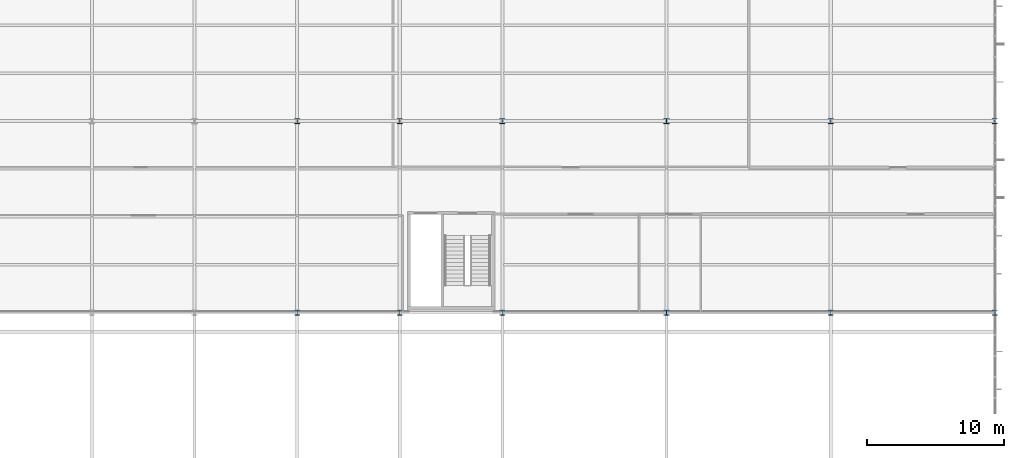
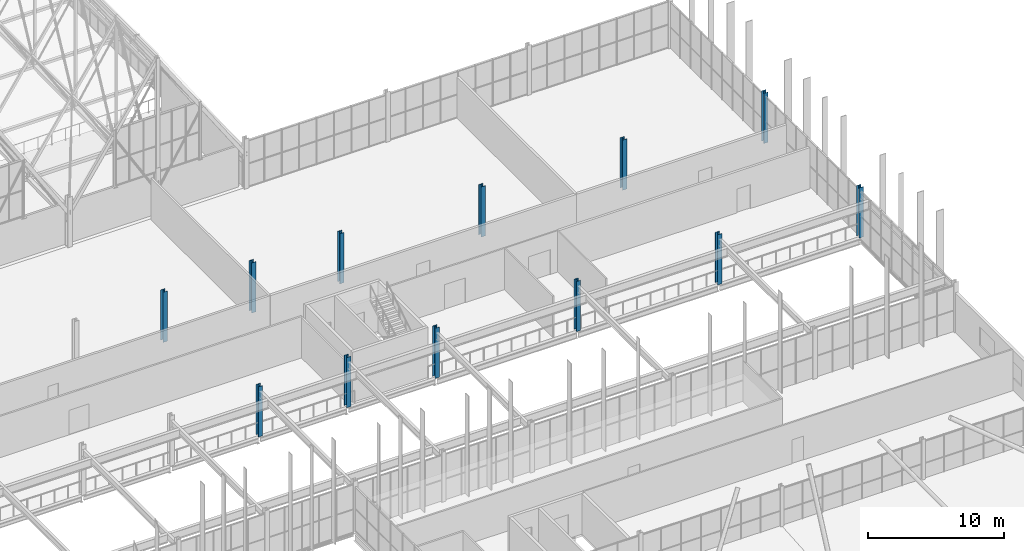
# One storey, part 13 of 324: 12 columns.
"""IFC4 building model written with IfcOpenShell, lengths in metres."""

from ifc_helpers import new_model, si_unit, direction, frame, origin, origin_2d, place, context, subcontext, project, spatial, i_section, extrude, material, material_profile, profile_set, type_object, element, save


model = new_model("IFC4")

# Units and contexts
model_context = context("Model", 3, precision=1e-05, world=origin(), true_north=direction((0.0, 1.0)))
body_context = subcontext(model_context, "Body", "Model", "MODEL_VIEW")
ifc_project = project(units=[si_unit("LENGTHUNIT", "METRE"), si_unit("AREAUNIT", "SQUARE_METRE"), si_unit("VOLUMEUNIT", "CUBIC_METRE"), si_unit("PLANEANGLEUNIT", "RADIAN"), si_unit("MASSUNIT", "GRAM", prefix="KILO")], contexts=[model_context])

# Site, building, storey
site_placement = place(None, origin())
site = spatial("IfcSite", under=ifc_project, at=site_placement, CompositionType="ELEMENT")
building_placement = place(site_placement, origin())
building = spatial("IfcBuilding", under=site, at=building_placement, Name="Solvenia Promenade Tram Depot", CompositionType="ELEMENT")
storey_placement = place(building_placement, frame((0.0, 0.0, 4.5)))
storey = spatial("IfcBuildingStorey", under=building, at=storey_placement, Name="L01", CompositionType="ELEMENT", Elevation=4.5)

# Columns
ifc_material = material(Name="Structural steel ASTM A992 Gr. 50", Category="steel")
ifc_material_profile = material_profile(ifc_material, i_section(OverallWidth=0.373046875, OverallDepth=0.367919921875, WebThickness=0.014892578125, FlangeThickness=0.02392578125, FilletRadius=0.014892578125, at=origin_2d()), Name="W360x179", Category="steel")
ifc_profile_set = profile_set([ifc_material_profile], Name="Structural steel ASTM A992 Gr. 50")
column_type = type_object("IfcColumnType", Name="Col-W360x179", PredefinedType="COLUMN", material=ifc_profile_set)
for number, where, z_axis, x_axis, name in (
    (1, (135.0, 38.0, 0.0), (0.0, 0.0, 1.0), (1.0, 0.0, 0.0), "Steel Column COL-L01-268"),
    (2, (135.0, 52.0, 0.0), (0.0, 0.0, 1.0), (1.0, 0.0, 0.0), "Steel Column COL-L01-272"),
    (3, (142.5, 38.0, 0.0), (0.0, 0.0, 1.0), (1.0, 0.0, 0.0), "Steel Column COL-L01-289"),
    (4, (142.5, 52.0, 0.0), (0.0, 0.0, 1.0), (1.0, 0.0, 0.0), "Steel Column COL-L01-293"),
    (5, (150.0, 38.0, 0.0), (0.0, 0.0, 1.0), (1.0, 0.0, 0.0), "Steel Column COL-L01-310"),
    (6, (150.0, 52.0, 0.0), (0.0, 0.0, 1.0), (1.0, 0.0, 0.0), "Steel Column COL-L01-314"),
    (7, (162.0, 38.0, 0.0), (0.0, 0.0, 1.0), (1.0, 0.0, 0.0), "Steel Column COL-L01-331"),
    (8, (162.0, 52.0, 0.0), (0.0, 0.0, 1.0), (1.0, 0.0, 0.0), "Steel Column COL-L01-335"),
    (9, (174.0, 38.0, 0.0), (0.0, 0.0, 1.0), (1.0, 0.0, 0.0), "Steel Column COL-L01-349"),
    (10, (174.0, 52.0, 0.0), (0.0, 0.0, 1.0), (1.0, 0.0, 0.0), "Steel Column COL-L01-352"),
    (11, (186.0, 38.0, 0.0), (0.0, 0.0, 1.0), (1.0, 0.0, 0.0), "Steel Column COL-L01-364"),
    (12, (186.0, 52.0, 0.0), (0.0, 0.0, 1.0), (1.0, 0.0, 0.0), "Steel Column COL-L01-367"),
):
    element("IfcColumn", number, at=place(storey_placement, frame(where, z_axis=z_axis, x_axis=x_axis)), inside=storey, type_object=column_type, Name=name, PredefinedType="COLUMN", context=body_context, shape_type="SweptSolid", body=[
        extrude(i_section(OverallWidth=0.373046875, OverallDepth=0.367919921875, WebThickness=0.014892578125, FlangeThickness=0.02392578125, FilletRadius=0.014892578125, at=origin_2d()), origin(), (0.0, 0.0, 1.0), 4.5),
    ])

save(model, "model.ifc")
